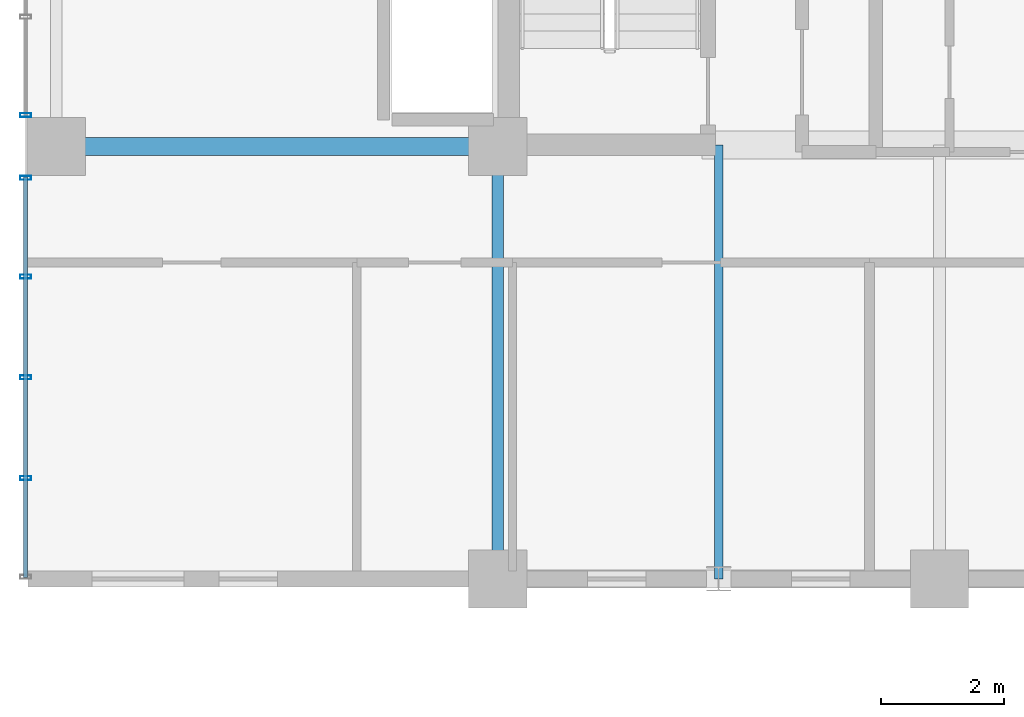
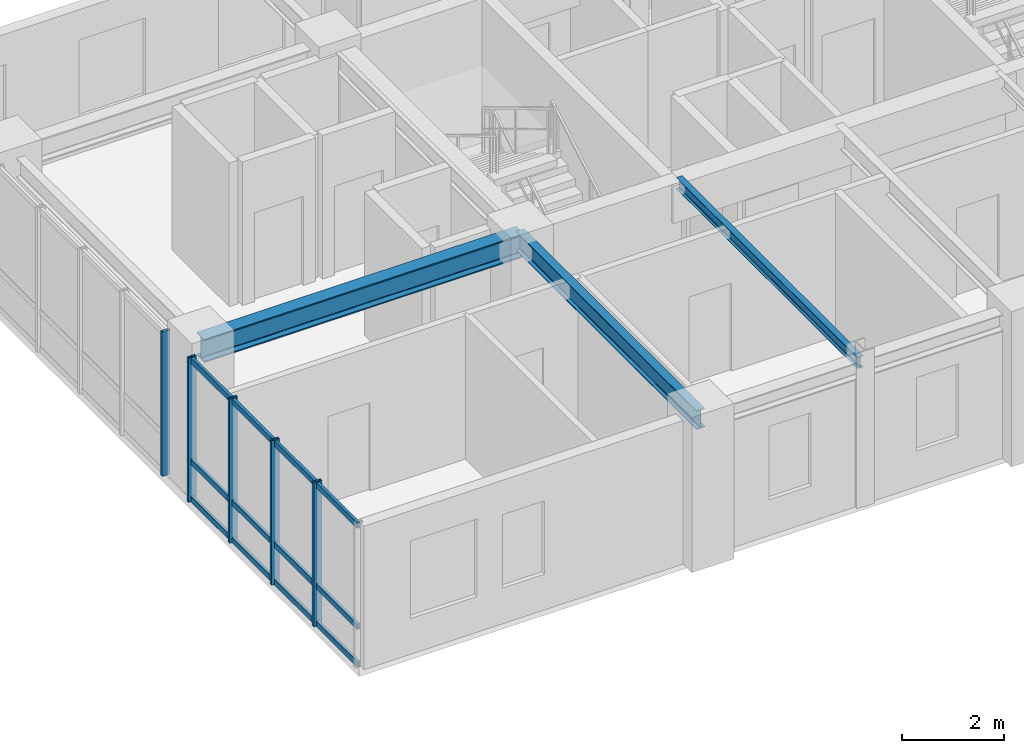
# One storey, part 6 of 20: 8 members, 3 beams, 2 elements without a shape of their own.
"""IFC4 building model written with IfcOpenShell, lengths in metres."""

from ifc_helpers import new_model, si_unit, direction, frame, origin, origin_2d, place, context, subcontext, project, spatial, hollow_rectangle, i_section, extrude, source, transform, mapped, material, layer, layer_set, material_profile, profile_set, type_object, element, aggregate, save


model = new_model("IFC4")

# Units and contexts
model_context = context("Model", 3, precision=1e-05, world=origin(), true_north=direction((0.0, 1.0)))
body_context = subcontext(model_context, "Body", "Model", "MODEL_VIEW")
ifc_project = project(units=[si_unit("LENGTHUNIT", "METRE"), si_unit("AREAUNIT", "SQUARE_METRE"), si_unit("VOLUMEUNIT", "CUBIC_METRE"), si_unit("PLANEANGLEUNIT", "RADIAN"), si_unit("MASSUNIT", "GRAM", prefix="KILO")], contexts=[model_context])

# Site, building, storey
site_placement = place(None, origin())
site = spatial("IfcSite", under=ifc_project, at=site_placement, CompositionType="ELEMENT")
building_placement = place(site_placement, origin())
building = spatial("IfcBuilding", under=site, at=building_placement, Name="Kaliganga Portal Commons", CompositionType="ELEMENT")
storey_placement = place(building_placement, frame((0.0, 0.0, 231.39990234375)))
storey = spatial("IfcBuildingStorey", under=building, at=storey_placement, Name="L59", CompositionType="ELEMENT", Elevation=231.39990234375)

# Beams
ifc_material_1 = material(Name="Structural steel S355J2", Category="steel")
ifc_material_profile_1 = material_profile(ifc_material_1, i_section(OverallWidth=0.18994140625, OverallDepth=0.449951171875, WebThickness=0.009521484375, FlangeThickness=0.0146484375, FilletRadius=0.02099609375, at=origin_2d()), Name="IPE 450")
ifc_profile_set_1 = profile_set([ifc_material_profile_1], Name="Structural steel S355J2 wide-flange")
beam_type_1 = type_object("IfcBeamType", Name="BM-FLR-450", PredefinedType="BEAM", material=ifc_profile_set_1)
shared_shape_1 = source(origin(), body_context, "Body", "SweptSolid", [
    extrude(i_section(OverallWidth=0.18994140625, OverallDepth=0.449951171875, WebThickness=0.009521484375, FlangeThickness=0.0146484375, FilletRadius=0.02099609375, at=origin_2d()), origin(), (0.0, 0.0, 1.0), 7.0498046875),
])
beam_1_placement = place(storey_placement, frame((14.39990234375, 21.60009765625, 3.215087890625), z_axis=(0.0, 1.0, 0.0), x_axis=(-1.0, 0.0, 0.0)))
element("IfcBeam", 1, at=beam_1_placement, inside=storey, type_object=beam_type_1, Name="BM G L59 AS144", PredefinedType="BEAM", context=body_context, shape_type="MappedRepresentation", body=[
    mapped(shared_shape_1, transform((0.0, 0.0, 0.0), x_axis=(1.0, 0.0, 0.0), y_axis=(0.0, 1.0, 0.0), z_axis=(0.0, 0.0, 1.0), scale=1.0)),
])
ifc_material_profile_2 = material_profile(ifc_material_1, i_section(OverallWidth=0.300048828125, OverallDepth=0.550048828125, WebThickness=0.014892578125, FlangeThickness=0.029052734375, FilletRadius=0.027099609375, at=origin_2d()), Name="HE 550 B")
ifc_profile_set_2 = profile_set([ifc_material_profile_2], Name="Structural steel S355J2 wide-flange")
beam_type_2 = type_object("IfcBeamType", Name="BM-GIRD-550", PredefinedType="USERDEFINED", material=ifc_profile_set_2)
shared_shape_2 = source(origin(), body_context, "Body", "SweptSolid", [
    extrude(i_section(OverallWidth=0.300048828125, OverallDepth=0.550048828125, WebThickness=0.014892578125, FlangeThickness=0.029052734375, FilletRadius=0.027099609375, at=origin_2d()), origin(), (0.0, 0.0, 1.0), 7.199951171875),
])
beam_2_placement = place(storey_placement, frame((7.199951171875, 28.64990234375, 3.1650390625), z_axis=(1.0, 0.0, 0.0), x_axis=(0.0, 1.0, 0.0)))
element("IfcBeam", 2, at=beam_2_placement, inside=storey, type_object=beam_type_2, Name="BM G L59 WAH_S 1", ObjectType="GIRDER", PredefinedType="USERDEFINED", context=body_context, shape_type="MappedRepresentation", body=[
    mapped(shared_shape_2, transform((0.0, 0.0, 0.0), x_axis=(1.0, 0.0, 0.0), y_axis=(0.0, 1.0, 0.0), z_axis=(0.0, 0.0, 1.0), scale=1.0)),
])
ifc_material_profile_3 = material_profile(ifc_material_1, i_section(OverallWidth=0.135009765625, OverallDepth=0.27001953125, WebThickness=0.006591796875, FlangeThickness=0.01025390625, FilletRadius=0.014892578125, at=origin_2d()), Name="IPE 270")
ifc_profile_set_3 = profile_set([ifc_material_profile_3], Name="Structural steel S355J2 wide-flange")
beam_type_3 = type_object("IfcBeamType", Name="BM-JST-270", PredefinedType="JOIST", material=ifc_profile_set_3)
shared_shape_3 = source(origin(), body_context, "Body", "SweptSolid", [
    extrude(i_section(OverallWidth=0.135009765625, OverallDepth=0.27001953125, WebThickness=0.006591796875, FlangeThickness=0.01025390625, FilletRadius=0.014892578125, at=origin_2d()), origin(), (0.0, 0.0, 1.0), 7.074951171875),
])
beam_3_placement = place(storey_placement, frame((18.0, 21.60009765625, 3.30517578125), z_axis=(0.0, 1.0, 0.0), x_axis=(-1.0, 0.0, 0.0)))
element("IfcBeam", 3, at=beam_3_placement, inside=storey, type_object=beam_type_3, Name="BM G L59 AS180", PredefinedType="JOIST", context=body_context, shape_type="MappedRepresentation", body=[
    mapped(shared_shape_3, transform((0.0, 0.0, 0.0), x_axis=(1.0, 0.0, 0.0), y_axis=(0.0, 1.0, 0.0), z_axis=(0.0, 0.0, 1.0), scale=1.0)),
])

# Curtain wall, members
ifc_material_2 = material(Name="Anodized Aluminium and Laminated Low-E Glass", Category="aluminium")
ifc_layer = layer(ifc_material_2, 0.199951171875)
ifc_layer_set = layer_set([ifc_layer], Name="Anodized Aluminium and Laminated Low-E Glass")
curtain_wall_type = type_object("IfcCurtainWallType", Name="CW-SYS-02", PredefinedType="NOTDEFINED", material=ifc_layer_set)
curtain_wall_1_placement = place(storey_placement, origin())
curtain_wall_1 = element("IfcCurtainWall", 4, at=curtain_wall_1_placement, inside=storey, type_object=curtain_wall_type, Name="CW 02 L59 P1E09S3", PredefinedType="NOTDEFINED")
ifc_material_3 = material(Name="Dark Bronze Anodized Aluminium", Category="aluminium")
ifc_material_profile_4 = material_profile(ifc_material_3, hollow_rectangle(XDim=0.06494140625, YDim=0.135009765625, WallThickness=0.00341796875, at=origin_2d()), Name="ALU TRAN 65x135x3.5")
ifc_profile_set_4 = profile_set([ifc_material_profile_4], Name="Dark Bronze Anodized Aluminium")
member_type_1 = type_object("IfcMemberType", Name="CW-TRN-135", PredefinedType="USERDEFINED", material=ifc_profile_set_4)
shared_shape_4 = source(origin(), body_context, "Body", "SweptSolid", [
    extrude(hollow_rectangle(XDim=0.06494140625, YDim=0.135009765625, WallThickness=0.00341796875, at=origin_2d()), origin(), (0.0, 0.0, 1.0), 6.533935546875),
])
member_1_placement = place(storey_placement, frame((6.699951171875, 28.154052734375, 0.06005859375), z_axis=(0.0, -1.0, 0.0), x_axis=(1.0, 0.0, 0.0)))
member_1 = element("IfcMember", 5, at=member_1_placement, type_object=member_type_1, Name="CW:02:L59:P1E09S3 Transom 1", ObjectType="TRANSOM", PredefinedType="USERDEFINED", context=body_context, shape_type="MappedRepresentation", body=[
    mapped(shared_shape_4, transform((0.0, 0.0, 0.0), x_axis=(1.0, 0.0, 0.0), y_axis=(0.0, 1.0, 0.0), z_axis=(0.0, 0.0, 1.0), scale=1.0)),
])
member_2_placement = place(storey_placement, frame((6.699951171875, 28.154052734375, 0.9501953125), z_axis=(0.0, -1.0, 0.0), x_axis=(1.0, 0.0, 0.0)))
member_2 = element("IfcMember", 6, at=member_2_placement, type_object=member_type_1, Name="CW:02:L59:P1E09S3 Transom 2", ObjectType="TRANSOM", PredefinedType="USERDEFINED", context=body_context, shape_type="MappedRepresentation", body=[
    mapped(shared_shape_4, transform((0.0, 0.0, 0.0), x_axis=(1.0, 0.0, 0.0), y_axis=(0.0, 1.0, 0.0), z_axis=(0.0, 0.0, 1.0), scale=1.0)),
])
member_3_placement = place(storey_placement, frame((6.699951171875, 28.154052734375, 3.360107421875), z_axis=(0.0, -1.0, 0.0), x_axis=(1.0, 0.0, 0.0)))
member_3 = element("IfcMember", 7, at=member_3_placement, type_object=member_type_1, Name="CW:02:L59:P1E09S3 Transom 3", ObjectType="TRANSOM", PredefinedType="USERDEFINED", context=body_context, shape_type="MappedRepresentation", body=[
    mapped(shared_shape_4, transform((0.0, 0.0, 0.0), x_axis=(1.0, 0.0, 0.0), y_axis=(0.0, 1.0, 0.0), z_axis=(0.0, 0.0, 1.0), scale=1.0)),
])

# Curtain wall, member
curtain_wall_2_placement = place(storey_placement, origin())
curtain_wall_2 = element("IfcCurtainWall", 8, at=curtain_wall_2_placement, inside=storey, type_object=curtain_wall_type, Name="CW 02 L59 P1E09S2", PredefinedType="NOTDEFINED")
ifc_material_profile_5 = material_profile(ifc_material_3, hollow_rectangle(XDim=0.06494140625, YDim=0.179931640625, WallThickness=0.00390625, at=origin_2d()), Name="ALU MULL 65x180x4")
ifc_profile_set_5 = profile_set([ifc_material_profile_5], Name="Dark Bronze Anodized Aluminium")
member_type_2 = type_object("IfcMemberType", Name="CW-MUL-180", PredefinedType="MULLION", material=ifc_profile_set_5)
shared_shape_5 = source(origin(), body_context, "Body", "SweptSolid", [
    extrude(hollow_rectangle(XDim=0.06494140625, YDim=0.179931640625, WallThickness=0.00390625, at=origin_2d()), origin(), (0.0, 0.0, 1.0), 3.440185546875),
])
member_4_placement = place(storey_placement, frame((6.699951171875, 29.160888671875, 0.0), z_axis=(0.0, 0.0, 1.0), x_axis=(0.0, -1.0, 0.0)))
member_4 = element("IfcMember", 9, at=member_4_placement, type_object=member_type_2, Name="CW:02:L59:P1E09S2 Mullion 04", PredefinedType="MULLION", context=body_context, shape_type="MappedRepresentation", body=[
    mapped(shared_shape_5, transform((0.0, 0.0, 0.0), x_axis=(1.0, 0.0, 0.0), y_axis=(0.0, 1.0, 0.0), z_axis=(0.0, 0.0, 1.0), scale=1.0)),
])
aggregate(curtain_wall_2, [member_4])

# Member
member_5_placement = place(storey_placement, frame((6.699951171875, 28.138916015625, 0.0), z_axis=(0.0, 0.0, 1.0), x_axis=(0.0, -1.0, 0.0)))
member_5 = element("IfcMember", 10, at=member_5_placement, type_object=member_type_2, Name="CW:02:L59:P1E09S3 Mullion 00", PredefinedType="MULLION", context=body_context, shape_type="MappedRepresentation", body=[
    mapped(shared_shape_5, transform((0.0, 0.0, 0.0), x_axis=(1.0, 0.0, 0.0), y_axis=(0.0, 1.0, 0.0), z_axis=(0.0, 0.0, 1.0), scale=1.0)),
])

member_6_placement = place(storey_placement, frame((6.699951171875, 26.530517578125, 0.0), z_axis=(0.0, 0.0, 1.0), x_axis=(0.0, -1.0, 0.0)))
member_6 = element("IfcMember", 11, at=member_6_placement, type_object=member_type_2, Name="CW:02:L59:P1E09S3 Mullion 01", PredefinedType="MULLION", context=body_context, shape_type="MappedRepresentation", body=[
    mapped(shared_shape_5, transform((0.0, 0.0, 0.0), x_axis=(1.0, 0.0, 0.0), y_axis=(0.0, 1.0, 0.0), z_axis=(0.0, 0.0, 1.0), scale=1.0)),
])

member_7_placement = place(storey_placement, frame((6.699951171875, 24.886962890625, 0.0), z_axis=(0.0, 0.0, 1.0), x_axis=(0.0, -1.0, 0.0)))
member_7 = element("IfcMember", 12, at=member_7_placement, type_object=member_type_2, Name="CW:02:L59:P1E09S3 Mullion 02", PredefinedType="MULLION", context=body_context, shape_type="MappedRepresentation", body=[
    mapped(shared_shape_5, transform((0.0, 0.0, 0.0), x_axis=(1.0, 0.0, 0.0), y_axis=(0.0, 1.0, 0.0), z_axis=(0.0, 0.0, 1.0), scale=1.0)),
])

member_8_placement = place(storey_placement, frame((6.699951171875, 23.243408203125, 0.0), z_axis=(0.0, 0.0, 1.0), x_axis=(0.0, -1.0, 0.0)))
member_8 = element("IfcMember", 13, at=member_8_placement, type_object=member_type_2, Name="CW:02:L59:P1E09S3 Mullion 03", PredefinedType="MULLION", context=body_context, shape_type="MappedRepresentation", body=[
    mapped(shared_shape_5, transform((0.0, 0.0, 0.0), x_axis=(1.0, 0.0, 0.0), y_axis=(0.0, 1.0, 0.0), z_axis=(0.0, 0.0, 1.0), scale=1.0)),
])

aggregate(curtain_wall_1, [member_5, member_6, member_7, member_8, member_1, member_2, member_3])

save(model, "model.ifc")
